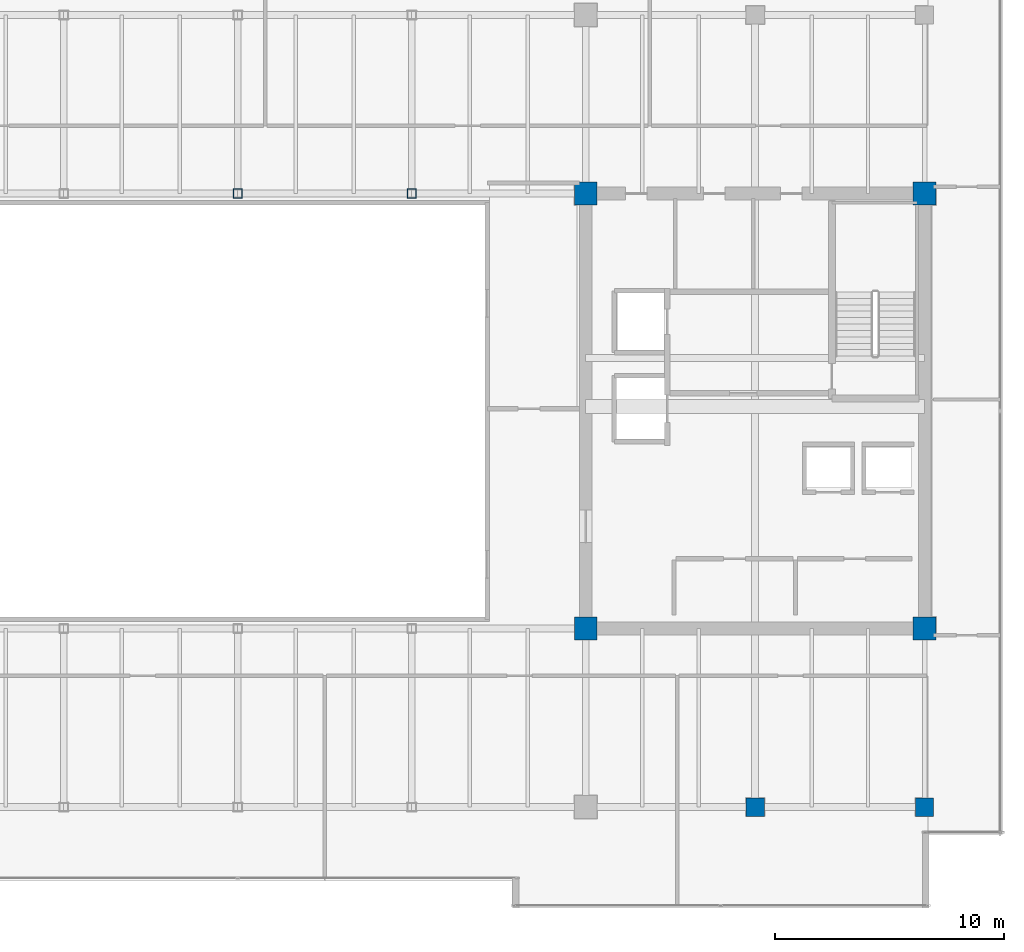
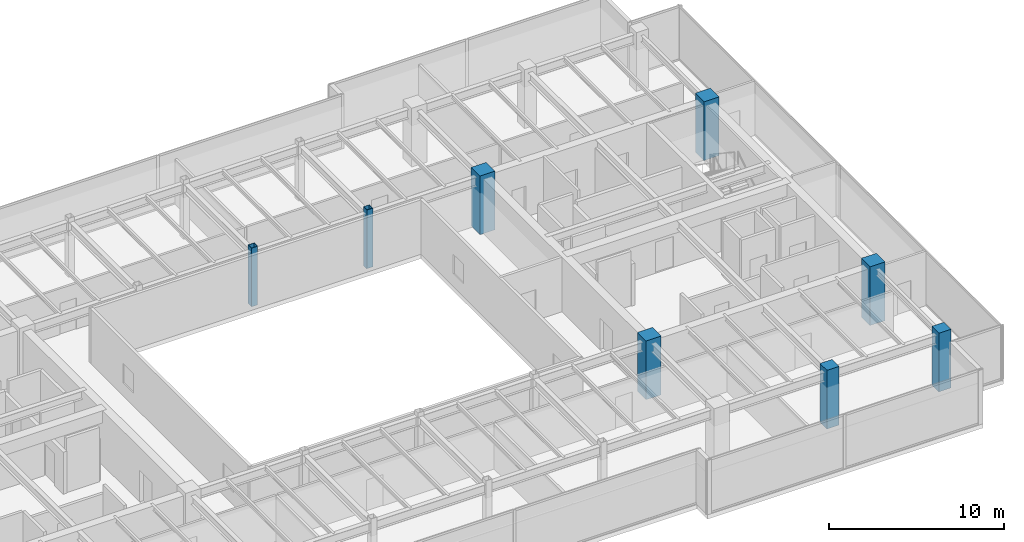
# One storey, part 2 of 35: 8 columns.
"""IFC4 building model written with IfcOpenShell, lengths in metres."""

from ifc_helpers import new_model, si_unit, direction, frame, origin, origin_2d, place, context, subcontext, project, spatial, rectangle, hollow_rectangle, extrude, source, transform, mapped, material, material_profile, profile_set, type_object, type_shapes, element, save


model = new_model("IFC4")

# Units and contexts
model_context = context("Model", 3, precision=1e-05, world=origin(), true_north=direction((0.0, 1.0)))
body_context = subcontext(model_context, "Body", "Model", "MODEL_VIEW")
ifc_project = project(units=[si_unit("LENGTHUNIT", "METRE"), si_unit("AREAUNIT", "SQUARE_METRE"), si_unit("VOLUMEUNIT", "CUBIC_METRE"), si_unit("PLANEANGLEUNIT", "RADIAN"), si_unit("MASSUNIT", "GRAM", prefix="KILO")], contexts=[model_context])

# Site, building, storey
site_placement = place(None, origin())
site = spatial("IfcSite", under=ifc_project, at=site_placement, CompositionType="ELEMENT")
building_placement = place(site_placement, origin())
building = spatial("IfcBuilding", under=site, at=building_placement, Name="Haelvirn Gate Laboratories", CompositionType="ELEMENT")
storey_placement = place(building_placement, frame((0.0, 0.0, 221.89990234375)))
storey = spatial("IfcBuildingStorey", under=building, at=storey_placement, Name="L53", CompositionType="ELEMENT", Elevation=221.89990234375)

# Columns
ifc_material_1 = material(Name="Concrete C60/75", Category="concrete")
ifc_material_profile_1 = material_profile(ifc_material_1, rectangle(XDim=1.0, YDim=1.0, at=origin_2d()), Name="RC-1000x1000")
ifc_profile_set_1 = profile_set([ifc_material_profile_1], Name="Concrete C60/75")
column_type_1 = type_object("IfcColumnType", Name="COL-RC-1000", PredefinedType="COLUMN", material=ifc_profile_set_1)
shared_shape_1 = source(origin(), body_context, "Body", "SweptSolid", [
    extrude(rectangle(XDim=1.0, YDim=1.0, at=origin_2d()), origin(), (0.0, 0.0, 1.0), 4.10009765625),
])
type_shapes(column_type_1, [shared_shape_1])
for number, where, z_axis, x_axis, name in (
    (1, (52.60009765625, 14.800048828125, 0.0), (0.0, 0.0, 1.0), (1.0, 0.0, 0.0), "L53 Column 8C"),
    (2, (67.39990234375, 14.800048828125, 0.0), (0.0, 0.0, 1.0), (1.0, 0.0, 0.0), "L53 Column 10C"),
    (3, (52.60009765625, 33.800048828125, 0.0), (0.0, 0.0, 1.0), (1.0, 0.0, 0.0), "L53 Column 8F"),
    (4, (67.39990234375, 33.800048828125, 0.0), (0.0, 0.0, 1.0), (1.0, 0.0, 0.0), "L53 Column 10F"),
):
    element("IfcColumn", number, at=place(storey_placement, frame(where, z_axis=z_axis, x_axis=x_axis)), inside=storey, type_object=column_type_1, Name=name, PredefinedType="COLUMN", context=body_context, shape_type="MappedRepresentation", body=[
        mapped(shared_shape_1, transform((0.0, 0.0, 0.0), scale=1.0)),
    ])
ifc_material_2 = material(Name="Concrete C50/60", Category="concrete")
ifc_material_profile_2 = material_profile(ifc_material_2, rectangle(XDim=0.800048828125, YDim=0.800048828125, at=origin_2d()), Name="RC-800x800")
ifc_profile_set_2 = profile_set([ifc_material_profile_2], Name="Concrete C50/60")
column_type_2 = type_object("IfcColumnType", Name="COL-RC-800", PredefinedType="COLUMN", material=ifc_profile_set_2)
shared_shape_2 = source(origin(), body_context, "Body", "SweptSolid", [
    extrude(rectangle(XDim=0.800048828125, YDim=0.800048828125, at=origin_2d()), origin(), (0.0, 0.0, 1.0), 4.10009765625),
])
type_shapes(column_type_2, [shared_shape_2])
for number, where, z_axis, x_axis, name in (
    (5, (60.0, 7.0, 0.0), (0.0, 0.0, 1.0), (1.0, 0.0, 0.0), "L53 Column 9B"),
    (6, (67.39990234375, 7.0, 0.0), (0.0, 0.0, 1.0), (1.0, 0.0, 0.0), "L53 Column 10B"),
):
    element("IfcColumn", number, at=place(storey_placement, frame(where, z_axis=z_axis, x_axis=x_axis)), inside=storey, type_object=column_type_2, Name=name, PredefinedType="COLUMN", context=body_context, shape_type="MappedRepresentation", body=[
        mapped(shared_shape_2, transform((0.0, 0.0, 0.0), scale=1.0)),
    ])
ifc_material_3 = material(Name="Steel SM355", Category="steel")
ifc_material_profile_3 = material_profile(ifc_material_3, hollow_rectangle(XDim=0.39990234375, YDim=0.39990234375, WallThickness=0.01904296875, at=origin_2d()), Name="BOX-400x400x19")
ifc_profile_set_3 = profile_set([ifc_material_profile_3], Name="Steel SM355")
column_type_3 = type_object("IfcColumnType", Name="COL-BOX-400", PredefinedType="COLUMN", material=ifc_profile_set_3)
shared_shape_3 = source(origin(), body_context, "Body", "SweptSolid", [
    extrude(hollow_rectangle(XDim=0.39990234375, YDim=0.39990234375, WallThickness=0.01904296875, at=origin_2d()), origin(), (0.0, 0.0, 1.0), 4.10009765625),
])
type_shapes(column_type_3, [shared_shape_3])
for number, where, z_axis, x_axis, name in (
    (7, (37.39990234375, 33.800048828125, 0.0), (0.0, 0.0, 1.0), (1.0, 0.0, 0.0), "L53 Column 6F"),
    (8, (45.0, 33.800048828125, 0.0), (0.0, 0.0, 1.0), (1.0, 0.0, 0.0), "L53 Column 7F"),
):
    element("IfcColumn", number, at=place(storey_placement, frame(where, z_axis=z_axis, x_axis=x_axis)), inside=storey, type_object=column_type_3, Name=name, PredefinedType="COLUMN", context=body_context, shape_type="MappedRepresentation", body=[
        mapped(shared_shape_3, transform((0.0, 0.0, 0.0), scale=1.0)),
    ])

save(model, "model.ifc")
